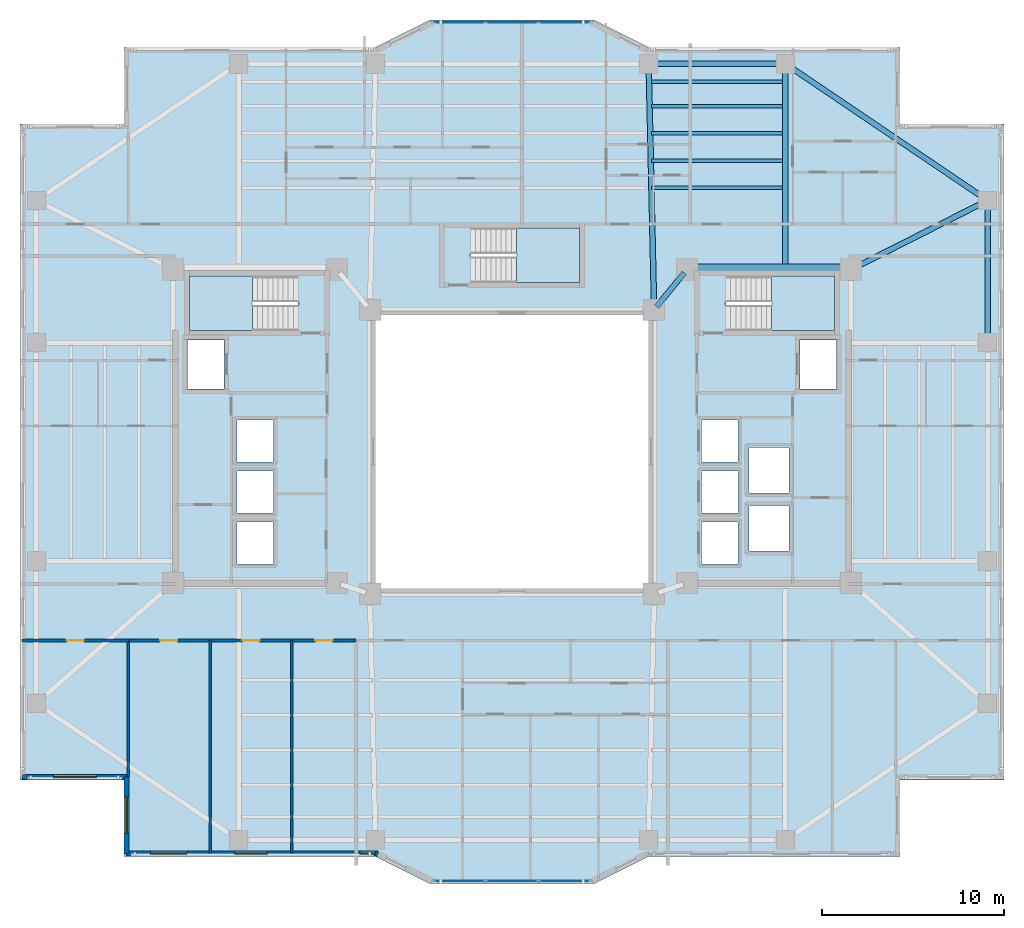
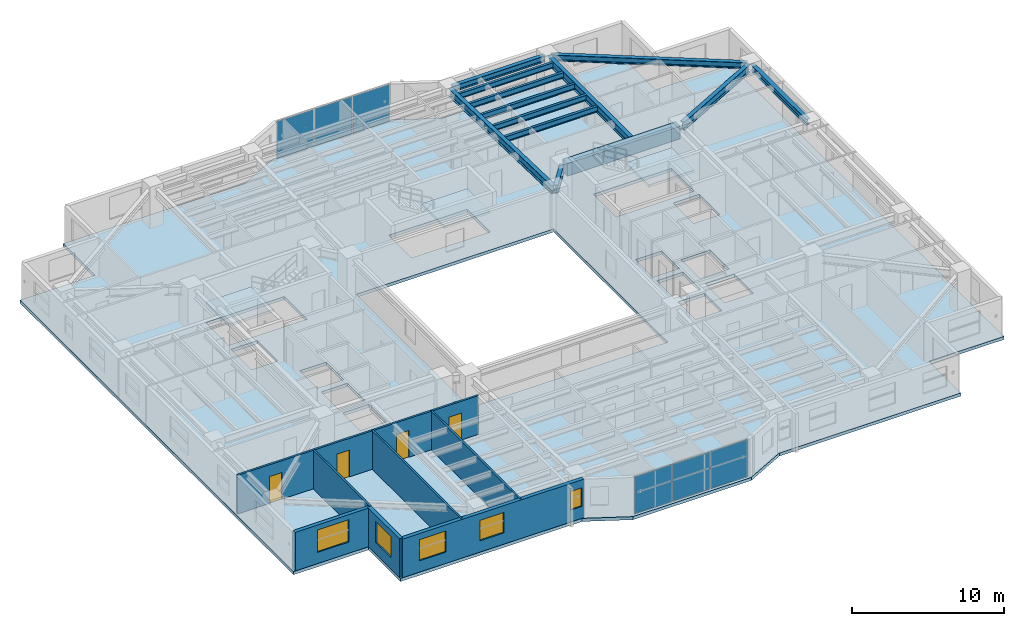
# One storey, part 5 of 18: 13 beams, 8 walls, 6 plates, 5 windows, 4 doors, 4 slabs, 9 openings, 5 elements without a shape of their own.
"""IFC4 building model written with IfcOpenShell, lengths in metres."""

from ifc_helpers import new_model, si_unit, direction, frame, frame_2d, origin, origin_2d, place, context, subcontext, project, spatial, polyline, rectangle, i_section, outline, extrude, material, layer, layer_set, material_profile, profile_set, type_object, element, fill, aggregate, save


model = new_model("IFC4")

# Units and contexts
model_context = context("Model", 3, precision=1e-05, world=origin(), true_north=direction((0.0, 1.0)))
body_context = subcontext(model_context, "Body", "Model", "MODEL_VIEW")
ifc_project = project(units=[si_unit("LENGTHUNIT", "METRE"), si_unit("AREAUNIT", "SQUARE_METRE"), si_unit("VOLUMEUNIT", "CUBIC_METRE"), si_unit("PLANEANGLEUNIT", "RADIAN"), si_unit("MASSUNIT", "GRAM", prefix="KILO")], contexts=[model_context])

# Site, building, storey
site_placement = place(None, origin())
site = spatial("IfcSite", under=ifc_project, at=site_placement, CompositionType="ELEMENT")
building_placement = place(site_placement, origin())
building = spatial("IfcBuilding", under=site, at=building_placement, Name="Tarnavaz Court Tower", CompositionType="ELEMENT")
storey_placement = place(building_placement, frame((0.0, 0.0, 91.699951171875)))
storey = spatial("IfcBuildingStorey", under=building, at=storey_placement, Name="L24", CompositionType="ELEMENT", Elevation=91.699951171875)

# Beams
ifc_material_1 = material(Name="Concrete C60/75", Category="concrete")
ifc_material_profile_1 = material_profile(ifc_material_1, rectangle(XDim=0.60009765625, YDim=1.0, at=origin_2d()), Name="RC 600X1000")
ifc_profile_set_1 = profile_set([ifc_material_profile_1], Name="Concrete C60/75")
beam_type_1 = type_object("IfcBeamType", Name="BM-CB1000", PredefinedType="LINTEL", material=ifc_profile_set_1)
beam_1_placement = place(storey_placement, frame((18.3798828125, 10.0, 2.60009765625), z_axis=(-1.0, 0.0, 0.0), x_axis=(0.0, -1.0, 0.0)))
element("IfcBeam", 1, at=beam_1_placement, inside=storey, type_object=beam_type_1, Name="L24 Beam IN-CE-NO-CE-NI", PredefinedType="LINTEL", context=body_context, shape_type="SweptSolid", body=[
    extrude(rectangle(XDim=0.60009765625, YDim=1.0, at=origin_2d()), origin(), (0.0, 0.0, 1.0), 8.559814453125),
])
ifc_material_2 = material(Name="Steel S355", Category="steel")
ifc_material_profile_2 = material_profile(ifc_material_2, i_section(OverallWidth=0.300048828125, OverallDepth=0.64990234375, WebThickness=0.01611328125, FlangeThickness=0.031005859375, FilletRadius=0.027099609375, at=origin_2d()), Name="HEB 650")
ifc_profile_set_2 = profile_set([ifc_material_profile_2], Name="Steel S355")
beam_type_2 = type_object("IfcBeamType", Name="BM-G-HEB650", PredefinedType="USERDEFINED", material=ifc_profile_set_2)
beam_2_placement = place(storey_placement, frame((9.460693359375, 9.82958984375, 2.775146484375), z_axis=(-0.633282058357, -0.773921077735, 0.0), x_axis=(0.773921077735, -0.633282058357, 0.0)))
element("IfcBeam", 2, at=beam_2_placement, inside=storey, type_object=beam_type_2, Name="L24 Beam IN-CE-NI-IW-NE", ObjectType="GIRDER", PredefinedType="USERDEFINED", context=body_context, shape_type="SweptSolid", body=[
    extrude(i_section(OverallWidth=0.300048828125, OverallDepth=0.64990234375, WebThickness=0.01611328125, FlangeThickness=0.031005859375, FilletRadius=0.027099609375, at=origin_2d()), origin(), (0.0, 0.0, 1.0), 2.402587890625),
])
beam_3_placement = place(storey_placement, frame((7.795166015625, 8.02001953125, 2.775146484375), z_axis=(-0.022221303469, 0.99975307635, 0.0), x_axis=(-0.99975307635, -0.022221303469, 0.0)))
element("IfcBeam", 3, at=beam_3_placement, inside=storey, type_object=beam_type_2, Name="L24 Beam RG-03", ObjectType="GIRDER", PredefinedType="USERDEFINED", context=body_context, shape_type="SweptSolid", body=[
    extrude(i_section(OverallWidth=0.300048828125, OverallDepth=0.64990234375, WebThickness=0.01611328125, FlangeThickness=0.031005859375, FilletRadius=0.027099609375, at=origin_2d()), origin(), (0.0, 0.0, 1.0), 13.063232421875),
])
beam_4_placement = place(storey_placement, frame((15.0, 10.0400390625, 2.775146484375), z_axis=(0.0, 1.0, 0.0), x_axis=(-1.0, 0.0, 0.0)))
element("IfcBeam", 4, at=beam_4_placement, inside=storey, type_object=beam_type_2, Name="L24 Beam RG-04", ObjectType="GIRDER", PredefinedType="USERDEFINED", context=body_context, shape_type="SweptSolid", body=[
    extrude(i_section(OverallWidth=0.300048828125, OverallDepth=0.64990234375, WebThickness=0.01611328125, FlangeThickness=0.031005859375, FilletRadius=0.027099609375, at=origin_2d()), origin(), (0.0, 0.0, 1.0), 11.0400390625),
])
beam_5_placement = place(storey_placement, frame((18.796142578125, 10.099365234375, 2.775146484375), z_axis=(0.892030669981, 0.451974870776, 0.0), x_axis=(-0.451974870776, 0.892030669981, 0.0)))
element("IfcBeam", 5, at=beam_5_placement, inside=storey, type_object=beam_type_2, Name="L24 Beam RG-12", ObjectType="GIRDER", PredefinedType="USERDEFINED", context=body_context, shape_type="SweptSolid", body=[
    extrude(i_section(OverallWidth=0.300048828125, OverallDepth=0.64990234375, WebThickness=0.01611328125, FlangeThickness=0.031005859375, FilletRadius=0.027099609375, at=origin_2d()), origin(), (0.0, 0.0, 1.0), 7.968017578125),
])
ifc_material_profile_3 = material_profile(ifc_material_2, i_section(OverallWidth=0.18994140625, OverallDepth=0.449951171875, WebThickness=0.009521484375, FlangeThickness=0.0146484375, FilletRadius=0.02099609375, at=origin_2d()), Name="IPE 450")
ifc_profile_set_3 = profile_set([ifc_material_profile_3], Name="Steel S355")
beam_type_3 = type_object("IfcBeamType", Name="BM-J-IPE450", PredefinedType="JOIST", material=ifc_profile_set_3)
for number, where, z_axis, x_axis, name in (
    (6, (7.64990234375, 14.493896484375, 2.875), (1.0, 0.0, 0.0), (0.0, 1.0, 0.0), "L24 Beam JN1-3"),
    (7, (7.64990234375, 15.988037109375, 2.875), (1.0, 0.0, 0.0), (0.0, 1.0, 0.0), "L24 Beam JN2-3"),
    (8, (7.64990234375, 17.48193359375, 2.875), (1.0, 0.0, 0.0), (0.0, 1.0, 0.0), "L24 Beam JN3-3"),
    (9, (7.64990234375, 18.97607421875, 2.875), (1.0, 0.0, 0.0), (0.0, 1.0, 0.0), "L24 Beam JN4-3"),
    (10, (7.64990234375, 20.303955078125, 2.875), (1.0, 0.0, 0.0), (0.0, 1.0, 0.0), "L24 Beam JN5-3"),
):
    element("IfcBeam", number, at=place(storey_placement, frame(where, z_axis=z_axis, x_axis=x_axis)), inside=storey, type_object=beam_type_3, Name=name, PredefinedType="JOIST", context=body_context, shape_type="SweptSolid", body=[
        extrude(i_section(OverallWidth=0.18994140625, OverallDepth=0.449951171875, WebThickness=0.009521484375, FlangeThickness=0.0146484375, FilletRadius=0.02099609375, at=origin_2d()), origin(), (0.0, 0.0, 1.0), 7.2001953125),
    ])
ifc_material_profile_4 = material_profile(ifc_material_2, i_section(OverallWidth=0.300048828125, OverallDepth=0.489990234375, WebThickness=0.011962890625, FlangeThickness=0.02294921875, FilletRadius=0.027099609375, at=origin_2d()), Name="HEA 500")
ifc_profile_set_4 = profile_set([ifc_material_profile_4], Name="Steel S355")
beam_type_4 = type_object("IfcBeamType", Name="BM-SP-HEA500", PredefinedType="SPANDREL", material=ifc_profile_set_4)
beam_6_placement = place(storey_placement, frame((7.719970703125, 21.300048828125, 2.85498046875), z_axis=(1.0, 0.0, 0.0), x_axis=(0.0, 1.0, 0.0)))
element("IfcBeam", 11, at=beam_6_placement, inside=storey, type_object=beam_type_4, Name="L24 Beam PR-PN-3-PN-4", PredefinedType="SPANDREL", context=body_context, shape_type="SweptSolid", body=[
    extrude(i_section(OverallWidth=0.300048828125, OverallDepth=0.489990234375, WebThickness=0.011962890625, FlangeThickness=0.02294921875, FilletRadius=0.027099609375, at=origin_2d()), origin(), (0.0, 0.0, 1.0), 7.06005859375),
])
beam_7_placement = place(storey_placement, frame((26.10009765625, 6.219970703125, 2.85498046875), z_axis=(0.0, 1.0, 0.0), x_axis=(-1.0, 0.0, 0.0)))
element("IfcBeam", 12, at=beam_7_placement, inside=storey, type_object=beam_type_4, Name="L24 Beam PR-PE-3-PE-4", PredefinedType="SPANDREL", context=body_context, shape_type="SweptSolid", body=[
    extrude(i_section(OverallWidth=0.300048828125, OverallDepth=0.489990234375, WebThickness=0.011962890625, FlangeThickness=0.02294921875, FilletRadius=0.027099609375, at=origin_2d()), origin(), (0.0, 0.0, 1.0), 7.360107421875),
])
beam_8_placement = place(storey_placement, frame((15.182373046875, 21.1767578125, 2.85498046875), z_axis=(0.828587314918, -0.559859858854, 0.0), x_axis=(0.559859858854, 0.828587314918, 0.0)))
element("IfcBeam", 13, at=beam_8_placement, inside=storey, type_object=beam_type_4, Name="L24 Beam PR-PN-4-PE-4", PredefinedType="SPANDREL", context=body_context, shape_type="SweptSolid", body=[
    extrude(i_section(OverallWidth=0.300048828125, OverallDepth=0.489990234375, WebThickness=0.011962890625, FlangeThickness=0.02294921875, FilletRadius=0.027099609375, at=origin_2d()), origin(), (0.0, 0.0, 1.0), 12.956298828125),
])

# Curtain wall, plates
ifc_material_3 = material(Name="Anodised Aluminium 6063-T6 and Solar Low-E Glazing", Category="aluminium")
ifc_layer_1 = layer(ifc_material_3, 0.179931640625)
ifc_layer_set_1 = layer_set([ifc_layer_1], Name="Anodised Aluminium 6063-T6 and Solar Low-E Glazing")
curtain_wall_type = type_object("IfcCurtainWallType", Name="CW-SYS-02", PredefinedType="NOTDEFINED", material=ifc_layer_set_1)
curtain_wall_1_placement = place(storey_placement, origin())
curtain_wall_1 = element("IfcCurtainWall", 14, at=curtain_wall_1_placement, inside=storey, type_object=curtain_wall_type, Name="L24 Iwan Prow Curtain Wall 7", PredefinedType="NOTDEFINED")
ifc_material_4 = material(Name="Double-Glazed Solar Low-E Glass", Category="glass")
ifc_layer_2 = layer(ifc_material_4, 0.028076171875)
ifc_layer_set_2 = layer_set([ifc_layer_2], Name="Double-Glazed Solar Low-E Glass")
plate_type = type_object("IfcPlateType", Name="CW-PAN-GLZ28", PredefinedType="CURTAIN_PANEL", material=ifc_layer_set_2)
plate_1_placement = place(storey_placement, frame((-2.88134765625, 23.550048828125, 0.06494140625), z_axis=(0.0, 0.0, 1.0), x_axis=(1.0, 0.0, 0.0)))
plate_1 = element("IfcPlate", 15, at=plate_1_placement, type_object=plate_type, Name="CW panel 1.1", PredefinedType="CURTAIN_PANEL", context=body_context, shape_type="SweptSolid", body=[
    extrude(rectangle(XDim=2.78759765625, YDim=0.028076171875, at=origin_2d()), origin(), (0.0, 0.0, 1.0), 2.969970703125),
])
plate_2_placement = place(storey_placement, frame((0.0, 23.550048828125, 0.06494140625), z_axis=(0.0, 0.0, 1.0), x_axis=(1.0, 0.0, 0.0)))
plate_2 = element("IfcPlate", 16, at=plate_2_placement, type_object=plate_type, Name="CW panel 2.1", PredefinedType="CURTAIN_PANEL", context=body_context, shape_type="SweptSolid", body=[
    extrude(rectangle(XDim=2.824951171875, YDim=0.028076171875, at=origin_2d()), origin(), (0.0, 0.0, 1.0), 2.969970703125),
])
plate_3_placement = place(storey_placement, frame((2.88134765625, 23.550048828125, 0.06494140625), z_axis=(0.0, 0.0, 1.0), x_axis=(1.0, 0.0, 0.0)))
plate_3 = element("IfcPlate", 17, at=plate_3_placement, type_object=plate_type, Name="CW panel 3.1", PredefinedType="CURTAIN_PANEL", context=body_context, shape_type="SweptSolid", body=[
    extrude(rectangle(XDim=2.78759765625, YDim=0.028076171875, at=origin_2d()), origin(), (0.0, 0.0, 1.0), 2.969970703125),
])
aggregate(curtain_wall_1, [plate_1, plate_2, plate_3])

curtain_wall_2_placement = place(storey_placement, origin())
curtain_wall_2 = element("IfcCurtainWall", 18, at=curtain_wall_2_placement, inside=storey, type_object=curtain_wall_type, Name="L24 Iwan Prow Curtain Wall 17", PredefinedType="NOTDEFINED")
plate_4_placement = place(storey_placement, frame((2.88134765625, -23.550048828125, 0.06494140625), z_axis=(0.0, 0.0, 1.0), x_axis=(-1.0, 0.0, 0.0)))
plate_4 = element("IfcPlate", 19, at=plate_4_placement, type_object=plate_type, Name="CW panel 1.1", PredefinedType="CURTAIN_PANEL", context=body_context, shape_type="SweptSolid", body=[
    extrude(rectangle(XDim=2.78759765625, YDim=0.028076171875, at=origin_2d()), origin(), (0.0, 0.0, 1.0), 2.969970703125),
])
plate_5_placement = place(storey_placement, frame((0.0, -23.550048828125, 0.06494140625), z_axis=(0.0, 0.0, 1.0), x_axis=(-1.0, 0.0, 0.0)))
plate_5 = element("IfcPlate", 20, at=plate_5_placement, type_object=plate_type, Name="CW panel 2.1", PredefinedType="CURTAIN_PANEL", context=body_context, shape_type="SweptSolid", body=[
    extrude(rectangle(XDim=2.824951171875, YDim=0.028076171875, at=origin_2d()), origin(), (0.0, 0.0, 1.0), 2.969970703125),
])
plate_6_placement = place(storey_placement, frame((-2.88134765625, -23.550048828125, 0.06494140625), z_axis=(0.0, 0.0, 1.0), x_axis=(-1.0, 0.0, 0.0)))
plate_6 = element("IfcPlate", 21, at=plate_6_placement, type_object=plate_type, Name="CW panel 3.1", PredefinedType="CURTAIN_PANEL", context=body_context, shape_type="SweptSolid", body=[
    extrude(rectangle(XDim=2.78759765625, YDim=0.028076171875, at=origin_2d()), origin(), (0.0, 0.0, 1.0), 2.969970703125),
])
aggregate(curtain_wall_2, [plate_4, plate_5, plate_6])

# Stair, slab
ifc_material_5 = material(Name="Concrete C40/50", Category="concrete")
stair_type = type_object("IfcStairType", Name="ST-TWR-20R", PredefinedType="HALF_TURN_STAIR", material=ifc_material_5)
stair_1_placement = place(storey_placement, origin())
stair_1 = element("IfcStair", 22, at=stair_1_placement, inside=storey, type_object=stair_type, Name="L24 West Core Pressurized Exit Stair ST-W1", PredefinedType="HALF_TURN_STAIR")
ifc_layer_3 = layer(ifc_material_5, 0.199951171875)
ifc_layer_set_3 = layer_set([ifc_layer_3], Name="Concrete C40/50")
slab_type_1 = type_object("IfcSlabType", Name="SL-LAND-200", PredefinedType="LANDING", material=ifc_layer_set_3)
slab_1_placement = place(storey_placement, frame((0.0, 0.0, 1.47509765625)))
slab_1 = element("IfcSlab", 23, at=slab_1_placement, type_object=slab_type_1, Name="ST-W1 landing 1", PredefinedType="LANDING", context=body_context, shape_type="SweptSolid", body=[
    extrude(outline(polyline([(-14.239990234375, 9.639892578125), (-17.699951171875, 9.639892578125), (-17.699951171875, 6.64990234375), (-14.239990234375, 6.64990234375), (-14.239990234375, 9.639892578125)])), origin(), (0.0, 0.0, 1.0), 0.199951171875),
])
aggregate(stair_1, [slab_1])

stair_2_placement = place(storey_placement, origin())
stair_2 = element("IfcStair", 24, at=stair_2_placement, inside=storey, type_object=stair_type, Name="L24 East Core Pressurized Exit Stair ST-E1", PredefinedType="HALF_TURN_STAIR")
slab_2_placement = place(storey_placement, frame((0.0, 0.0, 1.47509765625)))
slab_2 = element("IfcSlab", 25, at=slab_2_placement, type_object=slab_type_1, Name="ST-E1 landing 1", PredefinedType="LANDING", context=body_context, shape_type="SweptSolid", body=[
    extrude(outline(polyline([(14.239990234375, 6.64990234375), (17.699951171875, 6.64990234375), (17.699951171875, 9.639892578125), (14.239990234375, 9.639892578125), (14.239990234375, 6.64990234375)])), origin(), (0.0, 0.0, 1.0), 0.199951171875),
])
aggregate(stair_2, [slab_2])

stair_3_placement = place(storey_placement, origin())
stair_3 = element("IfcStair", 26, at=stair_3_placement, inside=storey, type_object=stair_type, Name="L24 North Ring Pressurized Exit Stair ST-N1", PredefinedType="HALF_TURN_STAIR")
slab_3_placement = place(storey_placement, frame((0.0, 0.0, 1.47509765625)))
slab_3 = element("IfcSlab", 27, at=slab_3_placement, type_object=slab_type_1, Name="ST-N1 landing 1", PredefinedType="LANDING", context=body_context, shape_type="SweptSolid", body=[
    extrude(outline(polyline([(0.239990234375, 9.300048828125), (3.699951171875, 9.300048828125), (3.699951171875, 12.2900390625), (0.239990234375, 12.2900390625), (0.239990234375, 9.300048828125)])), origin(), (0.0, 0.0, 1.0), 0.199951171875),
])
aggregate(stair_3, [slab_3])

# Slab
ifc_layer_4 = layer(ifc_material_5, 0.25)
ifc_layer_set_4 = layer_set([ifc_layer_4], Name="Concrete C40/50")
slab_type_2 = type_object("IfcSlabType", Name="SL-RES-250", PredefinedType="FLOOR", material=ifc_layer_set_4)
slab_4_placement = place(storey_placement, frame((0.0, 0.0, -0.25)))
element("IfcSlab", 28, at=slab_4_placement, inside=storey, type_object=slab_type_2, Name="L24 Structural Floor Slab", PredefinedType="FLOOR", context=body_context, shape_type="SweptSolid", body=[
    extrude(outline(polyline([(-21.300048828125, -22.199951171875), (-7.5, -22.199951171875), (-4.5, -23.699951171875), (4.5, -23.699951171875), (7.5, -22.199951171875), (21.300048828125, -22.199951171875), (21.300048828125, -18.0), (27.0, -18.0), (27.0, 18.0), (21.300048828125, 18.0), (21.300048828125, 22.199951171875), (7.5, 22.199951171875), (4.5, 23.699951171875), (-4.5, 23.699951171875), (-7.5, 22.199951171875), (-21.300048828125, 22.199951171875), (-21.300048828125, 18.0), (-27.0, 18.0), (-27.0, -18.0), (-21.300048828125, -18.0), (-21.300048828125, -22.199951171875)]), holes=[polyline([(-7.5, -7.5), (7.5, -7.5), (7.5, 7.5), (-7.5, 7.5), (-7.5, -7.5)]), polyline([(-11.7451171875, 9.639892578125), (-17.699951171875, 9.639892578125), (-17.699951171875, 6.64990234375), (-11.7451171875, 6.64990234375), (-11.7451171875, 9.639892578125)]), polyline([(11.7451171875, 6.64990234375), (17.699951171875, 6.64990234375), (17.699951171875, 9.639892578125), (11.7451171875, 9.639892578125), (11.7451171875, 6.64990234375)]), polyline([(-2.2548828125, 9.300048828125), (3.699951171875, 9.300048828125), (3.699951171875, 12.2900390625), (-2.2548828125, 12.2900390625), (-2.2548828125, 9.300048828125)]), polyline([(-17.800048828125, 3.449951171875), (-15.800048828125, 3.449951171875), (-15.800048828125, 6.14990234375), (-17.800048828125, 6.14990234375), (-17.800048828125, 3.449951171875)]), polyline([(-15.10009765625, -6.14990234375), (-13.10009765625, -6.14990234375), (-13.10009765625, -3.85009765625), (-15.10009765625, -3.85009765625), (-15.10009765625, -6.14990234375)]), polyline([(-15.10009765625, -3.35009765625), (-13.10009765625, -3.35009765625), (-13.10009765625, -1.050048828125), (-15.10009765625, -1.050048828125), (-15.10009765625, -3.35009765625)]), polyline([(-15.10009765625, -0.550048828125), (-13.10009765625, -0.550048828125), (-13.10009765625, 1.75), (-15.10009765625, 1.75), (-15.10009765625, -0.550048828125)]), polyline([(15.800048828125, 3.449951171875), (17.800048828125, 3.449951171875), (17.800048828125, 6.14990234375), (15.800048828125, 6.14990234375), (15.800048828125, 3.449951171875)]), polyline([(10.39990234375, -6.14990234375), (12.39990234375, -6.14990234375), (12.39990234375, -3.85009765625), (10.39990234375, -3.85009765625), (10.39990234375, -6.14990234375)]), polyline([(10.39990234375, -3.35009765625), (12.39990234375, -3.35009765625), (12.39990234375, -1.050048828125), (10.39990234375, -1.050048828125), (10.39990234375, -3.35009765625)]), polyline([(10.39990234375, -0.550048828125), (12.39990234375, -0.550048828125), (12.39990234375, 1.75), (10.39990234375, 1.75), (10.39990234375, -0.550048828125)]), polyline([(13.0, -5.449951171875), (15.199951171875, -5.449951171875), (15.199951171875, -2.949951171875), (13.0, -2.949951171875), (13.0, -5.449951171875)]), polyline([(13.0, -2.25), (15.199951171875, -2.25), (15.199951171875, 0.25), (13.0, 0.25), (13.0, -2.25)])]), origin(), (0.0, 0.0, 1.0), 0.25),
])

# Wall, opening, window
ifc_material_6 = material(Name="Precast Concrete C40/50", Category="concrete")
ifc_layer_5 = layer(ifc_material_6, 0.280029296875)
ifc_layer_set_5 = layer_set([ifc_layer_5], Name="Precast Concrete C40/50")
wall_type_1 = type_object("IfcWallType", Name="WL-EXT-280", PredefinedType="SOLIDWALL", material=ifc_layer_set_5)
wall_1_placement = place(storey_placement, frame((-21.14990234375, -17.85009765625, 0.0), z_axis=(0.0, 0.0, 1.0), x_axis=(-1.0, 0.0, 0.0)))
wall_1 = element("IfcWall", 29, at=wall_1_placement, inside=storey, type_object=wall_type_1, Name="L24 Exterior Terracotta Facade Wall 01", PredefinedType="SOLIDWALL", context=body_context, shape_type="SweptSolid", body=[
    extrude(rectangle(XDim=5.7001953125, YDim=0.280029296875, at=frame_2d((2.85009765625, 0.0))), origin(), (0.0, 0.0, 1.0), 3.10009765625),
])
opening_1_placement = place(wall_1_placement, frame((1.625, 0.0, 0.89990234375)))
opening_1 = element("IfcOpeningElement", 30, at=opening_1_placement, cuts=wall_1, Name="Opening W06", PredefinedType="OPENING", context=body_context, shape_type="SweptSolid", body=[
    extrude(rectangle(XDim=2.39990234375, YDim=1.800048828125, at=frame_2d((1.199951171875, 0.89990234375))), frame((0.0, 0.14990234375, 0.0), z_axis=(0.0, -1.0, 0.0), x_axis=(1.0, 0.0, 0.0)), (0.0, 0.0, 1.0), 0.300048828125),
])
window_type_1 = type_object("IfcWindowType", Name="WN-APT-2400", PartitioningType="TRIPLE_PANEL_VERTICAL", PredefinedType="WINDOW", material=ifc_material_4)
window_1_placement = place(opening_1_placement, origin())
window_1 = element("IfcWindow", 31, at=window_1_placement, inside=storey, type_object=window_type_1, Name="L24 South-West Corner Reading Room Window", OverallHeight=1.800048828125, OverallWidth=2.39990234375, PartitioningType="SINGLE_PANEL", PredefinedType="WINDOW", context=body_context, shape_type="SweptSolid", body=[
    extrude(rectangle(XDim=2.39990234375, YDim=1.800048828125, at=frame_2d((1.199951171875, 0.89990234375))), frame((0.0, 0.030029296875, 0.0), z_axis=(0.0, -1.0, 0.0), x_axis=(1.0, 0.0, 0.0)), (0.0, 0.0, 1.0), 0.06005859375),
])
fill(opening_1, window_1)

# Wall, openings, windows
wall_2_placement = place(storey_placement, frame((-7.35009765625, -22.050048828125, 0.0), z_axis=(0.0, 0.0, 1.0), x_axis=(-1.0, 0.0, 0.0)))
wall_2 = element("IfcWall", 32, at=wall_2_placement, inside=storey, type_object=wall_type_1, Name="L24 Exterior Terracotta Facade Wall 19", PredefinedType="SOLIDWALL", context=body_context, shape_type="SweptSolid", body=[
    extrude(rectangle(XDim=13.7998046875, YDim=0.280029296875, at=frame_2d((6.89990234375, 0.0))), origin(), (0.0, 0.0, 1.0), 3.10009765625),
])
opening_2_placement = place(wall_2_placement, frame((0.14697265625, 0.0, 0.949951171875)))
opening_2 = element("IfcOpeningElement", 33, at=opening_2_placement, cuts=wall_2, Name="Opening W15", PredefinedType="OPENING", context=body_context, shape_type="SweptSolid", body=[
    extrude(rectangle(XDim=0.85009765625, YDim=1.5, at=frame_2d((0.425048828125, 0.75))), frame((0.0, 0.14990234375, 0.0), z_axis=(0.0, -1.0, 0.0), x_axis=(1.0, 0.0, 0.0)), (0.0, 0.0, 1.0), 0.300048828125),
])
opening_3_placement = place(wall_2_placement, frame((6.0751953125, 0.0, 0.89990234375)))
opening_3 = element("IfcOpeningElement", 34, at=opening_3_placement, cuts=wall_2, Name="Opening W01", PredefinedType="OPENING", context=body_context, shape_type="SweptSolid", body=[
    extrude(rectangle(XDim=1.800048828125, YDim=1.64990234375, at=frame_2d((0.89990234375, 0.824951171875))), frame((0.0, 0.14990234375, 0.0), z_axis=(0.0, -1.0, 0.0), x_axis=(1.0, 0.0, 0.0)), (0.0, 0.0, 1.0), 0.300048828125),
])
opening_4_placement = place(wall_2_placement, frame((10.49169921875, 0.0, 0.89990234375)))
opening_4 = element("IfcOpeningElement", 35, at=opening_4_placement, cuts=wall_2, Name="Opening W08", PredefinedType="OPENING", context=body_context, shape_type="SweptSolid", body=[
    extrude(rectangle(XDim=2.0, YDim=1.699951171875, at=frame_2d((1.0, 0.85009765625))), frame((0.0, 0.14990234375, 0.0), z_axis=(0.0, -1.0, 0.0), x_axis=(1.0, 0.0, 0.0)), (0.0, 0.0, 1.0), 0.300048828125),
])
window_type_2 = type_object("IfcWindowType", Name="WN-APT-1800", PartitioningType="DOUBLE_PANEL_VERTICAL", PredefinedType="WINDOW", material=ifc_material_4)
window_2_placement = place(opening_3_placement, origin())
window_2 = element("IfcWindow", 36, at=window_2_placement, inside=storey, type_object=window_type_2, Name="L24 Craft and Maker Workshop Room Window", OverallHeight=1.64990234375, OverallWidth=1.800048828125, PartitioningType="SINGLE_PANEL", PredefinedType="WINDOW", context=body_context, shape_type="SweptSolid", body=[
    extrude(rectangle(XDim=1.800048828125, YDim=1.64990234375, at=frame_2d((0.89990234375, 0.824951171875))), frame((0.0, 0.030029296875, 0.0), z_axis=(0.0, -1.0, 0.0), x_axis=(1.0, 0.0, 0.0)), (0.0, 0.0, 1.0), 0.06005859375),
])
fill(opening_3, window_2)
window_type_3 = type_object("IfcWindowType", Name="WN-APT-2000", PartitioningType="DOUBLE_PANEL_VERTICAL", PredefinedType="WINDOW", material=ifc_material_4)
window_3_placement = place(opening_4_placement, origin())
window_3 = element("IfcWindow", 37, at=window_3_placement, inside=storey, type_object=window_type_3, Name="L24 Resident Community Meeting Room Window", OverallHeight=1.699951171875, OverallWidth=2.0, PartitioningType="SINGLE_PANEL", PredefinedType="WINDOW", context=body_context, shape_type="SweptSolid", body=[
    extrude(rectangle(XDim=2.0, YDim=1.699951171875, at=frame_2d((1.0, 0.85009765625))), frame((0.0, 0.030029296875, 0.0), z_axis=(0.0, -1.0, 0.0), x_axis=(1.0, 0.0, 0.0)), (0.0, 0.0, 1.0), 0.06005859375),
])
fill(opening_4, window_3)
window_type_4 = type_object("IfcWindowType", Name="WN-APT-850", PartitioningType="SINGLE_PANEL", PredefinedType="WINDOW", material=ifc_material_4)
window_4_placement = place(opening_2_placement, origin())
window_4 = element("IfcWindow", 38, at=window_4_placement, inside=storey, type_object=window_type_4, Name="L24 Flat 04 Living and Dining Room Window", OverallHeight=1.5, OverallWidth=0.85009765625, PartitioningType="SINGLE_PANEL", PredefinedType="WINDOW", context=body_context, shape_type="SweptSolid", body=[
    extrude(rectangle(XDim=0.85009765625, YDim=1.5, at=frame_2d((0.425048828125, 0.75))), frame((0.0, 0.030029296875, 0.0), z_axis=(0.0, -1.0, 0.0), x_axis=(1.0, 0.0, 0.0)), (0.0, 0.0, 1.0), 0.06005859375),
])
fill(opening_2, window_4)

# Wall, opening, window
wall_3_placement = place(storey_placement, frame((-21.14990234375, -22.050048828125, 0.0), z_axis=(0.0, 0.0, 1.0), x_axis=(0.0, 1.0, 0.0)))
wall_3 = element("IfcWall", 39, at=wall_3_placement, inside=storey, type_object=wall_type_1, Name="L24 Exterior Terracotta Facade Wall 20", PredefinedType="SOLIDWALL", context=body_context, shape_type="SweptSolid", body=[
    extrude(rectangle(XDim=4.199951171875, YDim=0.280029296875, at=frame_2d((2.10009765625, 0.0))), origin(), (0.0, 0.0, 1.0), 3.10009765625),
])
opening_5_placement = place(wall_3_placement, frame((1.117919921875, 0.0, 0.89990234375)))
opening_5 = element("IfcOpeningElement", 40, at=opening_5_placement, cuts=wall_3, Name="Opening W08", PredefinedType="OPENING", context=body_context, shape_type="SweptSolid", body=[
    extrude(rectangle(XDim=2.0, YDim=1.699951171875, at=frame_2d((1.0, 0.85009765625))), frame((0.0, 0.14990234375, 0.0), z_axis=(0.0, -1.0, 0.0), x_axis=(1.0, 0.0, 0.0)), (0.0, 0.0, 1.0), 0.300048828125),
])
window_5_placement = place(opening_5_placement, origin())
window_5 = element("IfcWindow", 41, at=window_5_placement, inside=storey, type_object=window_type_3, Name="L24 Resident Community Meeting Room Window", OverallHeight=1.699951171875, OverallWidth=2.0, PartitioningType="SINGLE_PANEL", PredefinedType="WINDOW", context=body_context, shape_type="SweptSolid", body=[
    extrude(rectangle(XDim=2.0, YDim=1.699951171875, at=frame_2d((1.0, 0.85009765625))), frame((0.0, 0.030029296875, 0.0), z_axis=(0.0, -1.0, 0.0), x_axis=(1.0, 0.0, 0.0)), (0.0, 0.0, 1.0), 0.06005859375),
])
fill(opening_5, window_5)

# Wall, openings, doors
ifc_material_7 = material(Name="Gypsum Fire-Board on Acoustic Metal Stud", Category="masonry")
ifc_layer_6 = layer(ifc_material_7, 0.14990234375)
ifc_layer_set_6 = layer_set([ifc_layer_6], Name="Gypsum Fire-Board on Acoustic Metal Stud")
wall_type_2 = type_object("IfcWallType", Name="WL-FIRE-150", PredefinedType="PARTITIONING", material=ifc_layer_set_6)
wall_4_placement = place(storey_placement, frame((-21.050048828125, -10.35009765625, 0.0), z_axis=(0.0, 0.0, 1.0), x_axis=(1.0, 0.0, 0.0)))
wall_4 = element("IfcWall", 42, at=wall_4_placement, inside=storey, type_object=wall_type_2, Name="L24 SW Horseshoe Wall 073", PredefinedType="PARTITIONING", context=body_context, shape_type="SweptSolid", body=[
    extrude(rectangle(XDim=12.5, YDim=0.14990234375, at=frame_2d((6.25, 0.0))), origin(), (0.0, 0.0, 1.0), 3.10009765625),
])
opening_6_placement = place(wall_4_placement, frame((1.736083984375, 0.0, 0.0)))
opening_6 = element("IfcOpeningElement", 43, at=opening_6_placement, cuts=wall_4, Name="Opening D13", PredefinedType="OPENING", context=body_context, shape_type="SweptSolid", body=[
    extrude(rectangle(XDim=0.949951171875, YDim=2.14990234375, at=frame_2d((0.47509765625, 1.074951171875))), frame((0.0, 0.0849609375, 0.0), z_axis=(0.0, -1.0, 0.0), x_axis=(1.0, 0.0, 0.0)), (0.0, 0.0, 1.0), 0.169921875),
])
opening_7_placement = place(wall_4_placement, frame((6.248046875, 0.0, 0.0)))
opening_7 = element("IfcOpeningElement", 44, at=opening_7_placement, cuts=wall_4, Name="Opening D13", PredefinedType="OPENING", context=body_context, shape_type="SweptSolid", body=[
    extrude(rectangle(XDim=0.949951171875, YDim=2.14990234375, at=frame_2d((0.47509765625, 1.074951171875))), frame((0.0, 0.0849609375, 0.0), z_axis=(0.0, -1.0, 0.0), x_axis=(1.0, 0.0, 0.0)), (0.0, 0.0, 1.0), 0.169921875),
])
opening_8_placement = place(wall_4_placement, frame((10.261962890625, 0.0, 0.0)))
opening_8 = element("IfcOpeningElement", 45, at=opening_8_placement, cuts=wall_4, Name="Opening D13", PredefinedType="OPENING", context=body_context, shape_type="SweptSolid", body=[
    extrude(rectangle(XDim=0.949951171875, YDim=2.14990234375, at=frame_2d((0.47509765625, 1.074951171875))), frame((0.0, 0.0849609375, 0.0), z_axis=(0.0, -1.0, 0.0), x_axis=(1.0, 0.0, 0.0)), (0.0, 0.0, 1.0), 0.169921875),
])
ifc_material_8 = material(Name="Engineered Oak Timber", Category="wood")
door_type = type_object("IfcDoorType", Name="DR-INT-950", OperationType="NOTDEFINED", PredefinedType="DOOR", material=ifc_material_8)
door_1_placement = place(opening_6_placement, origin())
door_1 = element("IfcDoor", 46, at=door_1_placement, inside=storey, type_object=door_type, Name="L24 Resident Community Meeting Room Door", OperationType="SINGLE_SWING_RIGHT", OverallHeight=2.14990234375, OverallWidth=0.949951171875, PredefinedType="DOOR", context=body_context, shape_type="SweptSolid", body=[
    extrude(rectangle(XDim=0.949951171875, YDim=2.14990234375, at=frame_2d((0.47509765625, 1.074951171875))), frame((0.0, 0.02490234375, 0.0), z_axis=(0.0, -1.0, 0.0), x_axis=(1.0, 0.0, 0.0)), (0.0, 0.0, 1.0), 0.050048828125),
])
fill(opening_6, door_1)
door_2_placement = place(opening_7_placement, origin())
door_2 = element("IfcDoor", 47, at=door_2_placement, inside=storey, type_object=door_type, Name="L24 Craft and Maker Workshop Room Door", OperationType="SINGLE_SWING_LEFT", OverallHeight=2.14990234375, OverallWidth=0.949951171875, PredefinedType="DOOR", context=body_context, shape_type="SweptSolid", body=[
    extrude(rectangle(XDim=0.949951171875, YDim=2.14990234375, at=frame_2d((0.47509765625, 1.074951171875))), frame((0.0, 0.02490234375, 0.0), z_axis=(0.0, -1.0, 0.0), x_axis=(1.0, 0.0, 0.0)), (0.0, 0.0, 1.0), 0.050048828125),
])
fill(opening_7, door_2)
door_3_placement = place(opening_8_placement, origin())
door_3 = element("IfcDoor", 48, at=door_3_placement, inside=storey, type_object=door_type, Name="L24 Accessible Washroom WC Door", OperationType="SINGLE_SWING_RIGHT", OverallHeight=2.14990234375, OverallWidth=0.949951171875, PredefinedType="DOOR", context=body_context, shape_type="SweptSolid", body=[
    extrude(rectangle(XDim=0.949951171875, YDim=2.14990234375, at=frame_2d((0.47509765625, 1.074951171875))), frame((0.0, 0.02490234375, 0.0), z_axis=(0.0, -1.0, 0.0), x_axis=(1.0, 0.0, 0.0)), (0.0, 0.0, 1.0), 0.050048828125),
])
fill(opening_8, door_3)

# Wall, opening, door
wall_5_placement = place(storey_placement, frame((-26.8798828125, -10.35009765625, 0.0), z_axis=(0.0, 0.0, 1.0), x_axis=(1.0, 0.0, 0.0)))
wall_5 = element("IfcWall", 49, at=wall_5_placement, inside=storey, type_object=wall_type_2, Name="L24 Interior Partition 118", PredefinedType="PARTITIONING", context=body_context, shape_type="SweptSolid", body=[
    extrude(rectangle(XDim=5.829833984375, YDim=0.14990234375, at=frame_2d((2.9150390625, 0.0))), origin(), (0.0, 0.0, 1.0), 3.10009765625),
])
opening_9_placement = place(wall_5_placement, frame((2.43994140625, 0.0, 0.0)))
opening_9 = element("IfcOpeningElement", 50, at=opening_9_placement, cuts=wall_5, Name="Opening D13", PredefinedType="OPENING", context=body_context, shape_type="SweptSolid", body=[
    extrude(rectangle(XDim=0.949951171875, YDim=2.14990234375, at=frame_2d((0.47509765625, 1.074951171875))), frame((0.0, 0.0849609375, 0.0), z_axis=(0.0, -1.0, 0.0), x_axis=(1.0, 0.0, 0.0)), (0.0, 0.0, 1.0), 0.169921875),
])
door_4_placement = place(opening_9_placement, origin())
door_4 = element("IfcDoor", 51, at=door_4_placement, inside=storey, type_object=door_type, Name="L24 SW Reading Room Door", OperationType="SINGLE_SWING_LEFT", OverallHeight=2.14990234375, OverallWidth=0.949951171875, PredefinedType="DOOR", context=body_context, shape_type="SweptSolid", body=[
    extrude(rectangle(XDim=0.949951171875, YDim=2.14990234375, at=frame_2d((0.47509765625, 1.074951171875))), frame((0.0, 0.02490234375, 0.0), z_axis=(0.0, -1.0, 0.0), x_axis=(1.0, 0.0, 0.0)), (0.0, 0.0, 1.0), 0.050048828125),
])
fill(opening_9, door_4)

# Walls
ifc_material_9 = material(Name="Gypsum Plasterboard Acoustic Partition", Category="masonry")
ifc_layer_7 = layer(ifc_material_9, 0.139892578125)
ifc_layer_set_7 = layer_set([ifc_layer_7], Name="Gypsum Plasterboard Acoustic Partition")
wall_type_3 = type_object("IfcWallType", Name="WL-PART-150", PredefinedType="PARTITIONING", material=ifc_layer_set_7)
for number, where, z_axis, x_axis, name in (
    (52, (-16.568115234375, -22.050048828125, 0.0), (0.0, 0.0, 1.0), (0.0, 1.0, 0.0), "L24 Interior Partition 094"),
    (53, (-12.0859375, -22.050048828125, 0.0), (0.0, 0.0, 1.0), (0.0, 1.0, 0.0), "L24 Interior Partition 095"),
):
    element("IfcWall", number, at=place(storey_placement, frame(where, z_axis=z_axis, x_axis=x_axis)), inside=storey, type_object=wall_type_3, Name=name, PredefinedType="PARTITIONING", context=body_context, shape_type="SweptSolid", body=[
        extrude(rectangle(XDim=11.699951171875, YDim=0.139892578125, at=frame_2d((5.85009765625, 0.0))), origin(), (0.0, 0.0, 1.0), 3.10009765625),
    ])
wall_6_placement = place(storey_placement, frame((-21.050048828125, -17.85009765625, 0.0), z_axis=(0.0, 0.0, 1.0), x_axis=(0.0, 1.0, 0.0)))
element("IfcWall", 54, at=wall_6_placement, inside=storey, type_object=wall_type_3, Name="L24 Interior Partition 112", PredefinedType="PARTITIONING", context=body_context, shape_type="SweptSolid", body=[
    extrude(rectangle(XDim=7.5, YDim=0.139892578125, at=frame_2d((3.75, 0.0))), origin(), (0.0, 0.0, 1.0), 3.10009765625),
])

save(model, "model.ifc")
